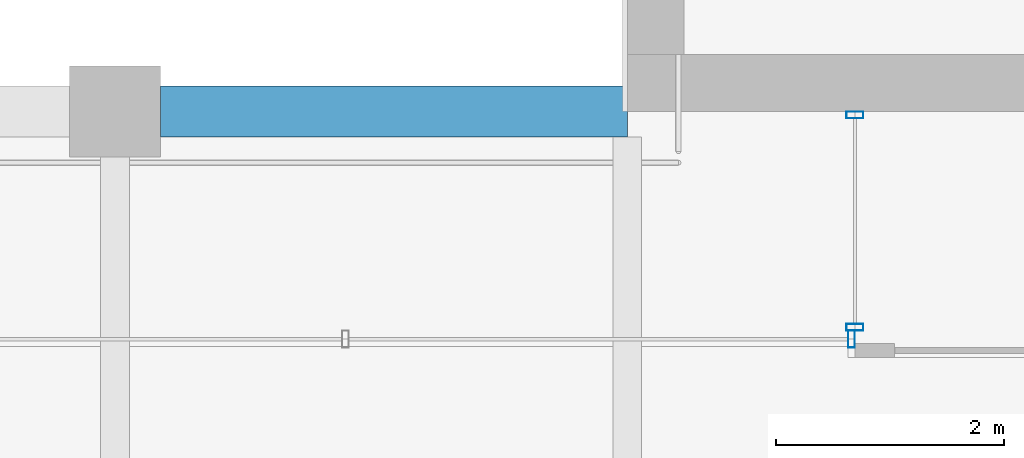
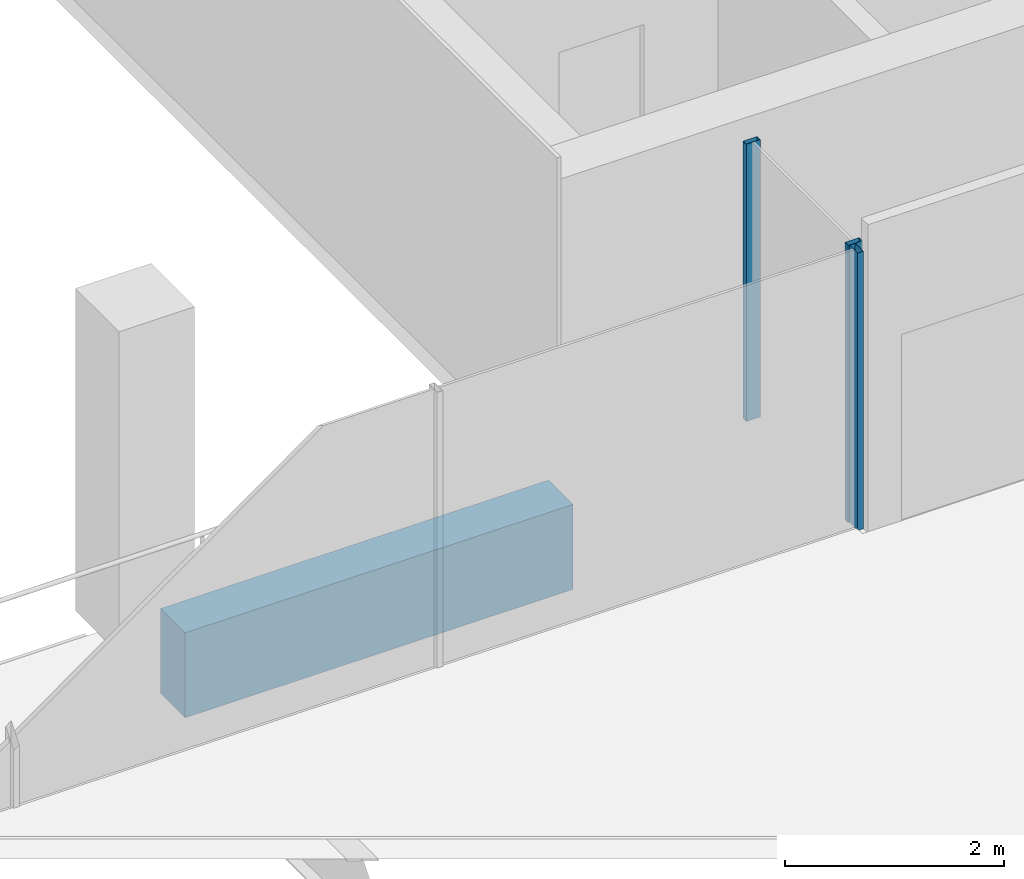
# One storey, part 6 of 30: 3 members, 1 beam, 2 elements without a shape of their own.
"""IFC4 building model written with IfcOpenShell, lengths in metres."""

from ifc_helpers import new_model, si_unit, direction, frame, origin, origin_2d, place, context, subcontext, project, spatial, rectangle, hollow_rectangle, extrude, material, material_profile, profile_set, type_object, element, aggregate, save


model = new_model("IFC4")

# Units and contexts
model_context = context("Model", 3, precision=1e-05, world=origin(), true_north=direction((0.0, 1.0)))
body_context = subcontext(model_context, "Body", "Model", "MODEL_VIEW")
ifc_project = project(units=[si_unit("LENGTHUNIT", "METRE"), si_unit("AREAUNIT", "SQUARE_METRE"), si_unit("VOLUMEUNIT", "CUBIC_METRE"), si_unit("PLANEANGLEUNIT", "RADIAN"), si_unit("MASSUNIT", "GRAM", prefix="KILO")], contexts=[model_context])

# Site, building, storey
site_placement = place(None, origin())
site = spatial("IfcSite", under=ifc_project, at=site_placement, CompositionType="ELEMENT")
building_placement = place(site_placement, origin())
building = spatial("IfcBuilding", under=site, at=building_placement, Name="Altepetl Exchange Towers", CompositionType="ELEMENT")
storey_placement = place(building_placement, frame((0.0, 0.0, 220.800048828125)))
storey = spatial("IfcBuildingStorey", under=building, at=storey_placement, Name="L56", CompositionType="ELEMENT", Elevation=220.800048828125)

# Curtain wall, members
ifc_material_1 = material(Name="Aluminium 6063-T6 glazing", Category="aluminium")
curtain_wall_type = type_object("IfcCurtainWallType", Name="Loggia glazing system", PredefinedType="NOTDEFINED", material=ifc_material_1)
curtain_wall_1_placement = place(storey_placement, origin())
curtain_wall_1 = element("IfcCurtainWall", 1, at=curtain_wall_1_placement, inside=storey, type_object=curtain_wall_type, Name="CW1 run", PredefinedType="NOTDEFINED")
ifc_material_2 = material(Name="Aluminium 6063-T6", Category="aluminium")
ifc_material_profile_1 = material_profile(ifc_material_2, hollow_rectangle(XDim=0.06005859375, YDim=0.14990234375, WallThickness=0.0029296875, at=origin_2d()), Name="Mullion 60x150 aluminium")
ifc_profile_set_1 = profile_set([ifc_material_profile_1], Name="Aluminium 6063-T6")
member_type = type_object("IfcMemberType", Name="Mullion 60x150 aluminium", PredefinedType="MULLION", material=ifc_profile_set_1)
member_1_placement = place(storey_placement, frame((42.5, 40.469970703125, 0.0), z_axis=(0.0, 0.0, 1.0), x_axis=(0.0, -1.0, 0.0)))
member_1 = element("IfcMember", 2, at=member_1_placement, type_object=member_type, Name="MU1 mullion", PredefinedType="MULLION", context=body_context, shape_type="SweptSolid", body=[
    extrude(hollow_rectangle(XDim=0.06005859375, YDim=0.14990234375, WallThickness=0.0029296875, at=origin_2d()), origin(), (0.0, 0.0, 1.0), 3.099853515625),
])
member_2_placement = place(storey_placement, frame((42.5, 38.60498046875, 0.0), z_axis=(0.0, 0.0, 1.0), x_axis=(0.0, -1.0, 0.0)))
member_2 = element("IfcMember", 3, at=member_2_placement, type_object=member_type, Name="MU1 mullion", PredefinedType="MULLION", context=body_context, shape_type="SweptSolid", body=[
    extrude(hollow_rectangle(XDim=0.06005859375, YDim=0.14990234375, WallThickness=0.0029296875, at=origin_2d()), origin(), (0.0, 0.0, 1.0), 3.099853515625),
])
aggregate(curtain_wall_1, [member_1, member_2])

# Curtain wall, member
curtain_wall_2_placement = place(storey_placement, origin())
curtain_wall_2 = element("IfcCurtainWall", 4, at=curtain_wall_2_placement, inside=storey, type_object=curtain_wall_type, Name="CW1 run", PredefinedType="NOTDEFINED")
member_3_placement = place(storey_placement, frame((42.469970703125, 38.5, 0.0), z_axis=(0.0, 0.0, 1.0), x_axis=(-1.0, 0.0, 0.0)))
member_3 = element("IfcMember", 5, at=member_3_placement, type_object=member_type, Name="MU1 mullion", PredefinedType="MULLION", context=body_context, shape_type="SweptSolid", body=[
    extrude(hollow_rectangle(XDim=0.06005859375, YDim=0.14990234375, WallThickness=0.0029296875, at=origin_2d()), origin(), (0.0, 0.0, 1.0), 3.099853515625),
])
aggregate(curtain_wall_2, [member_3])

# Beam
ifc_material_3 = material(Name="Concrete C50/60 precast with tezontle facing", Category="concrete")
ifc_material_profile_2 = material_profile(ifc_material_3, rectangle(XDim=0.449951171875, YDim=0.949951171875, at=origin_2d()), Name="450 x 950")
ifc_profile_set_2 = profile_set([ifc_material_profile_2], Name="Concrete C50/60 precast with tezontle facing")
beam_type = type_object("IfcBeamType", Name="Spandrel beam 450x950 tezontle", PredefinedType="SPANDREL", material=ifc_profile_set_2)
beam_placement = place(storey_placement, frame((40.5, 40.5, -0.625), z_axis=(-1.0, 0.0, 0.0), x_axis=(0.0, -1.0, 0.0)))
element("IfcBeam", 6, at=beam_placement, inside=storey, type_object=beam_type, Name="sp:A:L56:033", PredefinedType="SPANDREL", context=body_context, shape_type="SweptSolid", body=[
    extrude(rectangle(XDim=0.449951171875, YDim=0.949951171875, at=origin_2d()), origin(), (0.0, 0.0, 1.0), 4.10009765625),
])

save(model, "model.ifc")
